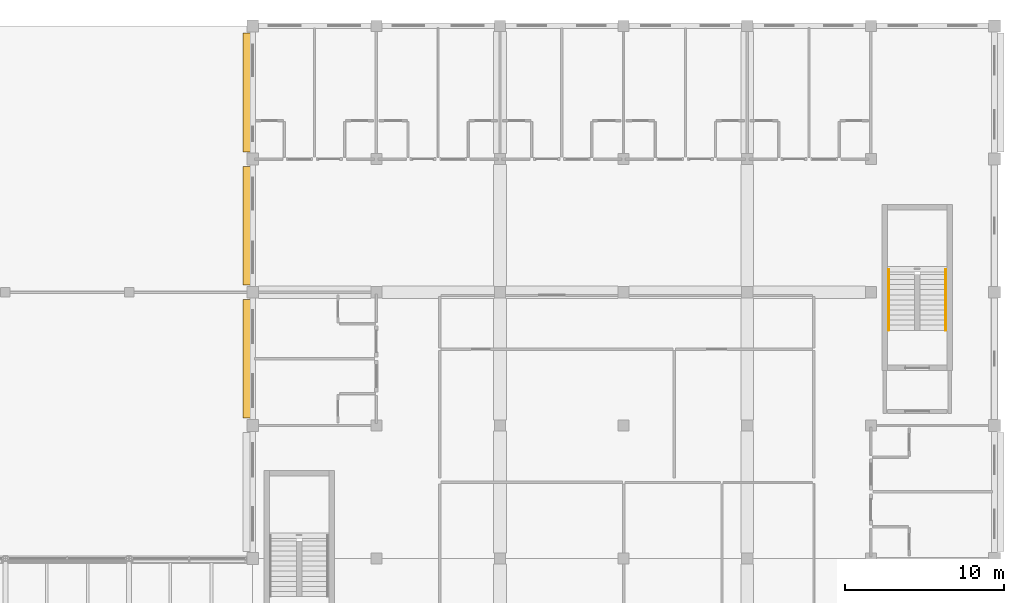
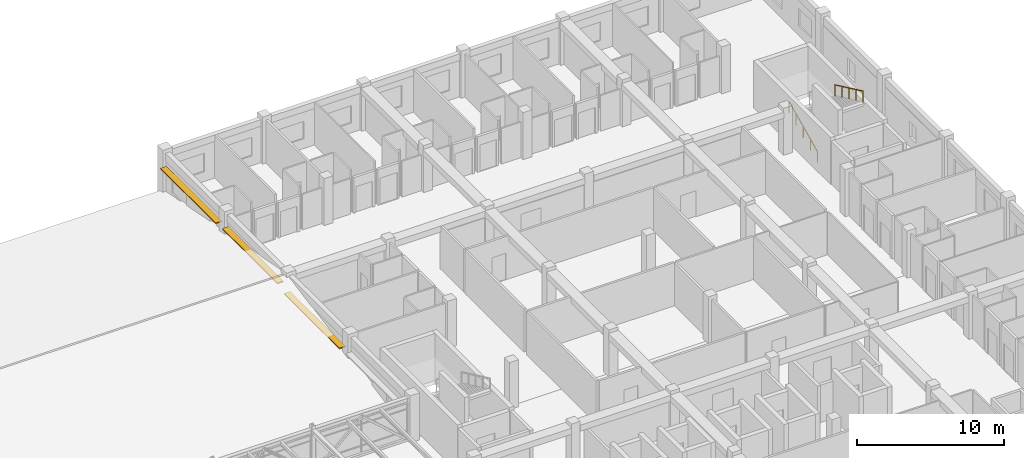
# One storey, part 71 of 72: 3 shading devices, 2 railings.
"""IFC4 building model written with IfcOpenShell, lengths in metres."""

import ifcopenshell
import ifcopenshell.guid

model = None  # the IFC model being written
_history = None  # IfcOwnerHistory: only IFC2X3 demands one
_inside = {}  # id of a spatial element -> (the spatial element, [elements in it])
_under = {}  # id of a project, library or spatial element -> (it, [spatial elements below it])
_declared = {}  # id of a project -> (the project, [libraries it declares])
_typed = {}  # id of a type object -> (the type object, [elements of that type])
_made_of = {}  # id of a material, layer set ... -> (it, [elements and type objects made of it])


def new_model(schema):
    """Start an empty IFC model of exactly this schema.

    Asked for "IFC4X3", IfcOpenShell would pick the latest addendum, in which some entities
    have other attributes; the version numbers below select the first issue.
    IFC2X3 requires an IfcOwnerHistory on every rooted entity: one is made here for all.
    """
    global model, _history
    if schema == "IFC4X3":
        model = ifcopenshell.file(schema_version=(4, 3, 0, 0))
    else:
        model = ifcopenshell.file(schema=schema)
    _inside.clear()
    _under.clear()
    _declared.clear()
    _typed.clear()
    _made_of.clear()
    _history = None
    if model.schema == "IFC2X3":
        org = make("IfcOrganization", Name="unknown")
        user = make(
            "IfcPersonAndOrganization",
            ThePerson=make("IfcPerson", FamilyName="unknown"),
            TheOrganization=org,
        )
        app = make(
            "IfcApplication",
            ApplicationDeveloper=org,
            Version="unknown",
            ApplicationFullName="unknown",
            ApplicationIdentifier="unknown",
        )
        _history = make(
            "IfcOwnerHistory",
            OwningUser=user,
            OwningApplication=app,
            ChangeAction="ADDED",
            CreationDate=0,
        )
    return model


def make(cls, **values):
    """One entity of the class cls with the attributes given. An attribute that is None is left unset."""
    return model.create_entity(
        cls, **{name: value for name, value in values.items() if value is not None}
    )


def rooted(cls, **values):
    """An entity with a GlobalId (a new one), such as an element, a storey or a relation."""
    return make(cls, GlobalId=ifcopenshell.guid.new(), OwnerHistory=_history, **values)


def si_unit(unit_type, name, prefix=None):
    """IfcSIUnit, for example si_unit("LENGTHUNIT", "METRE", prefix="MILLI")."""
    return make("IfcSIUnit", UnitType=unit_type, Prefix=prefix, Name=name)


def assignment(units):
    """IfcUnitAssignment: the units of a project."""
    return None if units is None else make("IfcUnitAssignment", Units=units)


def point(xyz):
    """IfcCartesianPoint."""
    return None if xyz is None else make("IfcCartesianPoint", Coordinates=xyz)


def direction(xyz):
    """IfcDirection."""
    return None if xyz is None else make("IfcDirection", DirectionRatios=xyz)


def frame(location, z_axis=None, x_axis=None):
    """IfcAxis2Placement3D, a coordinate frame: its origin and axes. An axis left out is left unset."""
    return make(
        "IfcAxis2Placement3D",
        Location=point(location),
        Axis=direction(z_axis),
        RefDirection=direction(x_axis),
    )


def frame_2d(location, x_axis=None):
    """IfcAxis2Placement2D, a coordinate frame in the plane: its origin and x axis."""
    return make(
        "IfcAxis2Placement2D", Location=point(location), RefDirection=direction(x_axis)
    )


def origin():
    """The frame at (0, 0, 0) with its axes left unset."""
    return frame((0.0, 0.0, 0.0))


def origin_2d():
    """The frame at (0, 0) in the plane with its x axis left unset."""
    return frame_2d((0.0, 0.0))


def place(relative_to, where):
    """IfcLocalPlacement: puts the frame where relative to a parent placement (None: the world)."""
    return make(
        "IfcLocalPlacement", PlacementRelTo=relative_to, RelativePlacement=where
    )


def context(
    kind, dimensions, precision=None, world=None, true_north=None, identifier=None
):
    """IfcGeometricRepresentationContext, for example the 3D "Model" context."""
    return make(
        "IfcGeometricRepresentationContext",
        ContextIdentifier=identifier,
        ContextType=kind,
        CoordinateSpaceDimension=dimensions,
        Precision=precision,
        WorldCoordinateSystem=world,
        TrueNorth=true_north,
    )


def subcontext(parent, identifier, kind, view, scale=None):
    """IfcGeometricRepresentationSubContext, for example "Body" below "Model"."""
    return make(
        "IfcGeometricRepresentationSubContext",
        ContextIdentifier=identifier,
        ContextType=kind,
        ParentContext=parent,
        TargetScale=scale,
        TargetView=view,
    )


def project(units=None, contexts=None):
    """IfcProject with its units and contexts."""
    return rooted(
        "IfcProject",
        Name="project",
        RepresentationContexts=contexts,
        UnitsInContext=assignment(units),
    )


def spatial(cls, under=None, at=None, **own):
    """A site, building, storey or space (cls), placed at a placement, below another one or the project."""
    s = rooted(cls, ObjectPlacement=at, **own)
    if under is not None:
        _under.setdefault(under.id(), (under, []))[1].append(s)
    return s


def profile(cls, at=None, kind="AREA", **sizes):
    """A parametric profile (cls). Its sizes go by their IFC names, for example OverallWidth=200.0."""
    return make(cls, ProfileType=kind, Position=at, **sizes)


def rectangle(**sizes):
    """IfcRectangleProfileDef."""
    return profile("IfcRectangleProfileDef", **sizes)


def circle(**sizes):
    """IfcCircleProfileDef."""
    return profile("IfcCircleProfileDef", **sizes)


def extrude(swept, where, along, depth):
    """IfcExtrudedAreaSolid: the profile swept, set in the frame where, extruded along a direction by depth."""
    return make(
        "IfcExtrudedAreaSolid",
        SweptArea=swept,
        Position=where,
        ExtrudedDirection=direction(along),
        Depth=depth,
    )


def shape(context_of_items, identifier, shape_type, items):
    """IfcShapeRepresentation: the items that make up one representation, for example the "Body"."""
    return make(
        "IfcShapeRepresentation",
        ContextOfItems=context_of_items,
        RepresentationIdentifier=identifier,
        RepresentationType=shape_type,
        Items=items,
    )


def material(Name=None, Category=None):
    """IfcMaterial."""
    return make("IfcMaterial", Name=Name, Category=Category)


def layer(
    of_material, thickness, ventilated=None, Name=None, Category=None, Priority=None
):
    """IfcMaterialLayer: one layer of a wall or slab, of a material (None: an air gap)."""
    return make(
        "IfcMaterialLayer",
        Material=of_material,
        LayerThickness=thickness,
        IsVentilated=ventilated,
        Name=Name,
        Category=Category,
        Priority=Priority,
    )


def layer_set(layers, Name=None):
    """IfcMaterialLayerSet."""
    return make("IfcMaterialLayerSet", MaterialLayers=layers, LayerSetName=Name)


def made_of(thing, what):
    """Note that an element or type object is made of a material, layer set ...; save() writes the relation."""
    if what is not None:
        _made_of.setdefault(what.id(), (what, []))[1].append(thing)
    return thing


def type_object(cls, material=None, **own):
    """A type object (cls), such as IfcWallType, which elements share."""
    return made_of(rooted(cls, **own), material)


def element(
    cls,
    number,
    at=None,
    inside=None,
    cuts=None,
    type_object=None,
    material=None,
    context=None,
    identifier="Body",
    shape_type=None,
    held_by="IfcProductDefinitionShape",
    body=None,
    shapes=None,
    **own,
):
    """One element of the class cls, such as IfcWall. Its Tag is "e" and its number.

    at: its placement. inside: the storey or other place that contains it. cuts: it is an
    opening in that element (IfcRelVoidsElement). A single representation is given by context,
    identifier, shape_type and body (its items); several are given by shapes. held_by: the class
    of the entity that holds the representations. save() writes the other relations.
    """
    e = rooted(cls, Tag="e%d" % number, ObjectPlacement=at, **own)
    if body is not None:
        shapes = [shape(context, identifier, shape_type, body)]
    if shapes is not None:
        e.Representation = make(held_by, Representations=shapes)
    if inside is not None:
        _inside.setdefault(inside.id(), (inside, []))[1].append(e)
    if cuts is not None:
        rooted(
            "IfcRelVoidsElement", RelatingBuildingElement=cuts, RelatedOpeningElement=e
        )
    if type_object is not None:
        _typed.setdefault(type_object.id(), (type_object, []))[1].append(e)
    return made_of(e, material)


def aggregate(whole, parts):
    """IfcRelAggregates: a whole, such as a stair, and the parts it consists of."""
    return rooted("IfcRelAggregates", RelatingObject=whole, RelatedObjects=parts)


def save(model, path):
    """Write the relations noted so far, then the file.

    IfcRelAggregates (storeys below a building ...), IfcRelContainedInSpatialStructure (elements
    in a storey), IfcRelDefinesByType, IfcRelAssociatesMaterial and IfcRelDeclares: one each for
    every whole, place, type object, material and project.
    """
    for whole, parts in _under.values():
        aggregate(whole, parts)
    for where, things in _inside.values():
        rooted(
            "IfcRelContainedInSpatialStructure",
            RelatedElements=things,
            RelatingStructure=where,
        )
    for kind, things in _typed.values():
        rooted("IfcRelDefinesByType", RelatedObjects=things, RelatingType=kind)
    for what, things in _made_of.values():
        rooted("IfcRelAssociatesMaterial", RelatedObjects=things, RelatingMaterial=what)
    for by, libraries in _declared.values():
        rooted("IfcRelDeclares", RelatingContext=by, RelatedDefinitions=libraries)
    model.write(path)


model = new_model("IFC4")

# Units and contexts
model_context = context("Model", 3, precision=1e-05, world=origin(), true_north=direction((0.0, 1.0)))
body_context = subcontext(model_context, "Body", "Model", "MODEL_VIEW")
ifc_project = project(units=[si_unit("LENGTHUNIT", "METRE"), si_unit("AREAUNIT", "SQUARE_METRE"), si_unit("VOLUMEUNIT", "CUBIC_METRE"), si_unit("PLANEANGLEUNIT", "RADIAN"), si_unit("MASSUNIT", "GRAM", prefix="KILO"), si_unit("THERMODYNAMICTEMPERATUREUNIT", "KELVIN"), si_unit("POWERUNIT", "WATT")], contexts=[model_context])

# Site, building, storey
site_placement = place(None, origin())
site = spatial("IfcSite", under=ifc_project, at=site_placement, CompositionType="ELEMENT")
building_placement = place(site_placement, origin())
building = spatial("IfcBuilding", under=site, at=building_placement, Name="Srebrne Nadtorze General Hospital", CompositionType="ELEMENT")
storey_placement = place(building_placement, frame((0.0, 0.0, 22.199951171875)))
storey = spatial("IfcBuildingStorey", under=building, at=storey_placement, Name="L05", CompositionType="ELEMENT", Elevation=22.199951171875)

# Shading devices
ifc_material_1 = material(Name="Anodised Aluminium", Category="aluminium")
ifc_layer = layer(ifc_material_1, 0.080078125)
ifc_layer_set = layer_set([ifc_layer], Name="Anodised Aluminium")
shading_device_type = type_object("IfcShadingDeviceType", Name="Hisashi horizontal aluminium sunshade", PredefinedType="JALOUSIE", material=ifc_layer_set)
for number, where, z_axis, x_axis, name in (
    (1, (101.0400390625, 71.39990234375, 2.27001953125), (0.0, 0.0, 1.0), (1.0, 0.0, 0.0), "Hisashi horizontal sunshade eave LV-337"),
    (2, (101.0400390625, 79.800048828125, 2.570068359375), (0.0, 0.0, 1.0), (1.0, 0.0, 0.0), "Hisashi horizontal sunshade eave LV-338"),
    (3, (101.0400390625, 88.199951171875, 2.469970703125), (0.0, 0.0, 1.0), (1.0, 0.0, 0.0), "Hisashi horizontal sunshade eave LV-339"),
):
    element("IfcShadingDevice", number, at=place(storey_placement, frame(where, z_axis=z_axis, x_axis=x_axis)), inside=storey, type_object=shading_device_type, Name=name, PredefinedType="JALOUSIE", context=body_context, shape_type="SweptSolid", body=[
        extrude(rectangle(XDim=0.47998046875, YDim=7.489990234375, at=origin_2d()), origin(), (0.0, 0.0, 1.0), 0.080078125),
    ])

# Railings
ifc_material_2 = material(Name="Stainless Steel 316", Category="steel")
railing_type = type_object("IfcRailingType", Name="Tubular stainless handrail 920", PredefinedType="HANDRAIL", material=ifc_material_2)
railing_1_placement = place(storey_placement, frame((141.530029296875, 73.199951171875, 0.150146484375)))
element("IfcRailing", 4, at=railing_1_placement, inside=storey, type_object=railing_type, Name="Stair flight handrail ST-04-L05 F1", PredefinedType="HANDRAIL", context=body_context, shape_type="SweptSolid", body=[
    extrude(circle(Radius=0.02392578125, at=origin_2d()), frame((0.0, 0.0, 0.89599609375), z_axis=(0.0, 0.905480367088, 0.424388153485), x_axis=(-1.0, 0.0, 0.0)), (0.0, 0.0, 1.0), 4.240966796875),
    extrude(circle(Radius=0.02099609375, at=origin_2d()), origin(), (0.0, 0.0, 1.0), 0.871826171875),
    extrude(circle(Radius=0.02099609375, at=origin_2d()), frame((0.0, 0.9599609375, 0.449951171875)), (0.0, 0.0, 1.0), 0.871826171875),
    extrude(circle(Radius=0.02099609375, at=origin_2d()), frame((0.0, 1.919921875, 0.89990234375)), (0.0, 0.0, 1.0), 0.871826171875),
    extrude(circle(Radius=0.02099609375, at=origin_2d()), frame((0.0, 2.880126953125, 1.349853515625)), (0.0, 0.0, 1.0), 0.871826171875),
    extrude(circle(Radius=0.02099609375, at=origin_2d()), frame((0.0, 3.840087890625, 1.7998046875)), (0.0, 0.0, 1.0), 0.871826171875),
])
railing_2_placement = place(storey_placement, frame((145.1201171875, 77.0400390625, 2.10009765625)))
element("IfcRailing", 5, at=railing_2_placement, inside=storey, type_object=railing_type, Name="Stair flight handrail ST-04-L05 F2", PredefinedType="HANDRAIL", context=body_context, shape_type="SweptSolid", body=[
    extrude(circle(Radius=0.02392578125, at=origin_2d()), frame((0.0, 0.0, 0.89599609375), z_axis=(0.0, -0.905458244611, 0.424435351104), x_axis=(1.0, 0.0, 0.0)), (0.0, 0.0, 1.0), 4.240966796875),
    extrude(circle(Radius=0.02099609375, at=origin_2d()), origin(), (0.0, 0.0, 1.0), 0.871826171875),
    extrude(circle(Radius=0.02099609375, at=origin_2d()), frame((0.0, -0.9599609375, 0.449951171875)), (0.0, 0.0, 1.0), 0.871826171875),
    extrude(circle(Radius=0.02099609375, at=origin_2d()), frame((0.0, -1.919921875, 0.89990234375)), (0.0, 0.0, 1.0), 0.871826171875),
    extrude(circle(Radius=0.02099609375, at=origin_2d()), frame((0.0, -2.880126953125, 1.35009765625)), (0.0, 0.0, 1.0), 0.871826171875),
    extrude(circle(Radius=0.02099609375, at=origin_2d()), frame((0.0, -3.840087890625, 1.800048828125)), (0.0, 0.0, 1.0), 0.871826171875),
])

save(model, "model.ifc")
